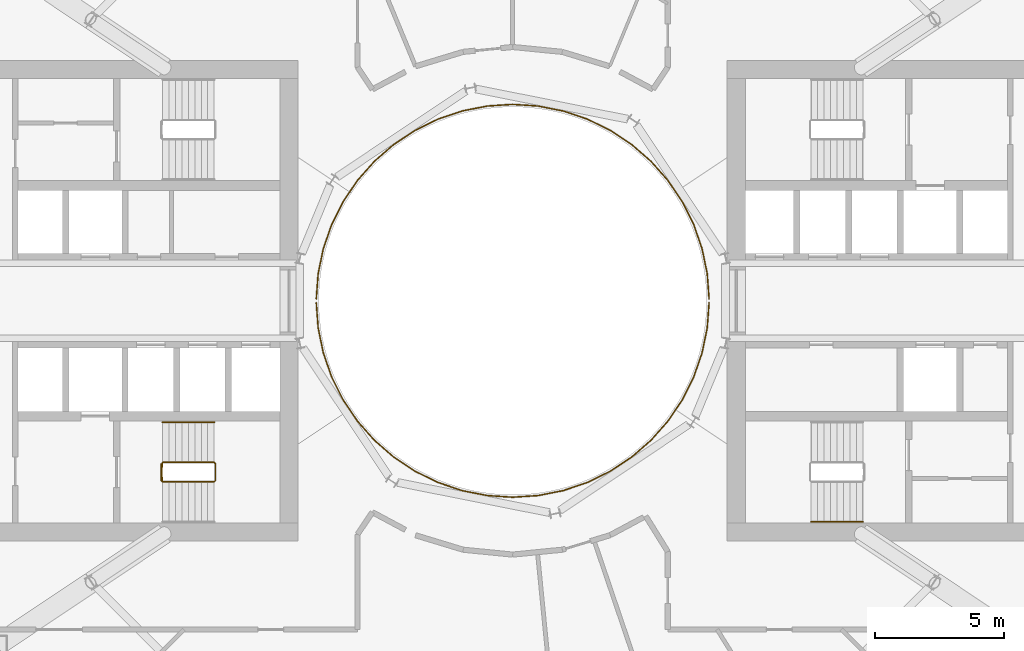
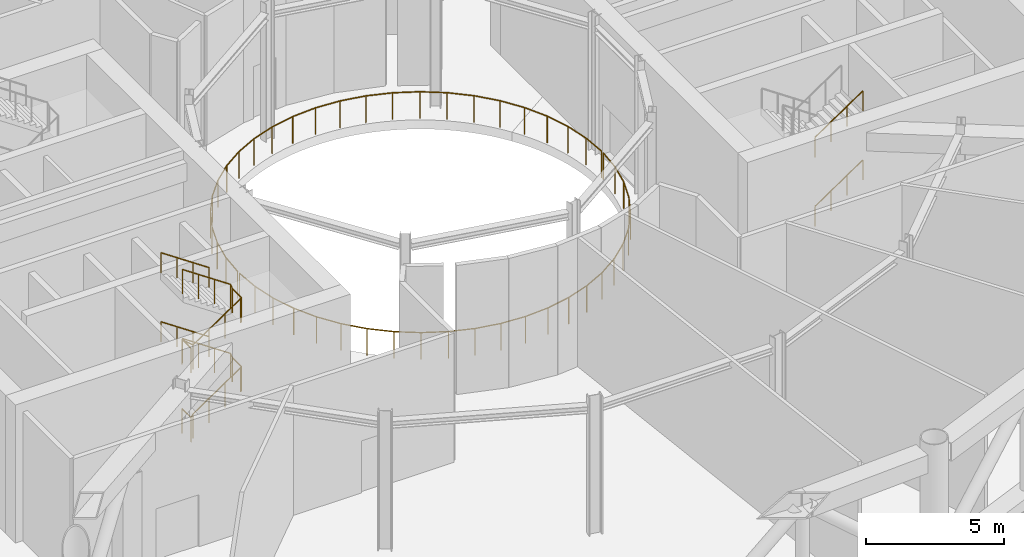
# One storey, part 20 of 23: 7 railings.
"""IFC4 building model written with IfcOpenShell, lengths in metres."""

from ifc_helpers import new_model, si_unit, direction, frame, origin, origin_2d, place, context, subcontext, project, spatial, circle, extrude, material, type_object, element, save


model = new_model("IFC4")

# Units and contexts
model_context = context("Model", 3, precision=1e-05, world=origin(), true_north=direction((0.0, 1.0)))
body_context = subcontext(model_context, "Body", "Model", "MODEL_VIEW")
ifc_project = project(units=[si_unit("LENGTHUNIT", "METRE"), si_unit("AREAUNIT", "SQUARE_METRE"), si_unit("VOLUMEUNIT", "CUBIC_METRE"), si_unit("PLANEANGLEUNIT", "RADIAN"), si_unit("MASSUNIT", "GRAM", prefix="KILO")], contexts=[model_context])

# Site, building, storey
site_placement = place(None, origin())
site = spatial("IfcSite", under=ifc_project, at=site_placement, CompositionType="ELEMENT")
building_placement = place(site_placement, origin())
building = spatial("IfcBuilding", under=site, at=building_placement, Name="Maasbend Ring Residences", CompositionType="ELEMENT")
storey_placement = place(building_placement, frame((0.0, 0.0, 97.14990234375)))
storey = spatial("IfcBuildingStorey", under=building, at=storey_placement, Name="L28", CompositionType="ELEMENT", Elevation=97.14990234375)

# Railings
ifc_material_1 = material(Name="Stainless steel 316 and glass", Category="steel")
railing_type_1 = type_object("IfcRailingType", Name="RL-GUARD", PredefinedType="GUARDRAIL", material=ifc_material_1)
railing_1_placement = place(storey_placement, frame((7.599609375, 0.06640625, 0.0)))
element("IfcRailing", 1, at=railing_1_placement, inside=storey, type_object=railing_type_1, Name="Garden guard well 1", PredefinedType="GUARDRAIL", context=body_context, shape_type="SweptSolid", body=[
    extrude(circle(Radius=0.02490234375, at=origin_2d()), frame((0.0, 0.0, 1.1748046875), z_axis=(-0.073598762792, 0.997287933405, 0.0), x_axis=(-0.997287933405, -0.073598762792, 0.0)), (0.0, 0.0, 1.0), 0.988525390625),
    extrude(circle(Radius=0.02490234375, at=origin_2d()), frame((-0.07275390625, 0.98583984375, 1.1748046875), z_axis=(-0.202760766137, 0.979228304184, 0.0), x_axis=(-0.979228304184, -0.202760766137, 0.0)), (0.0, 0.0, 1.0), 0.988525390625),
    extrude(circle(Radius=0.02490234375, at=origin_2d()), frame((-0.273193359375, 1.953857421875, 1.1748046875), z_axis=(-0.327907631853, 0.944709788757, 0.0), x_axis=(-0.944709788757, -0.327907631853, 0.0)), (0.0, 0.0, 1.0), 0.98876953125),
    extrude(circle(Radius=0.02490234375, at=origin_2d()), frame((-0.597412109375, 2.887939453125, 1.1748046875), z_axis=(-0.447806291046, 0.894130597676, 0.0), x_axis=(-0.894130597676, -0.447806291046, 0.0)), (0.0, 0.0, 1.0), 0.988525390625),
    extrude(circle(Radius=0.02490234375, at=origin_2d()), frame((-1.0400390625, 3.771728515625, 1.1748046875), z_axis=(-0.560045259563, 0.828462013155, 0.0), x_axis=(-0.828462013155, -0.560045259563, 0.0)), (0.0, 0.0, 1.0), 0.98876953125),
    extrude(circle(Radius=0.02490234375, at=origin_2d()), frame((-1.59375, 4.5908203125, 1.1748046875), z_axis=(-0.662829611997, 0.748770262137, 0.0), x_axis=(-0.748770262137, -0.662829611997, 0.0)), (0.0, 0.0, 1.0), 0.988525390625),
    extrude(circle(Radius=0.02490234375, at=origin_2d()), frame((-2.2490234375, 5.3310546875, 1.1748046875), z_axis=(-0.754424735376, 0.656386561908, 0.0), x_axis=(-0.656386561908, -0.754424735376, 0.0)), (0.0, 0.0, 1.0), 0.988525390625),
    extrude(circle(Radius=0.02490234375, at=origin_2d()), frame((-2.994873046875, 5.97998046875, 1.1748046875), z_axis=(-0.833415421364, 0.552647026078, 0.0), x_axis=(-0.552647026078, -0.833415421364, 0.0)), (0.0, 0.0, 1.0), 0.98876953125),
    extrude(circle(Radius=0.02490234375, at=origin_2d()), frame((-3.81884765625, 6.5263671875, 1.1748046875), z_axis=(-0.89795516916, 0.440086939341, 0.0), x_axis=(-0.440086939341, -0.89795516916, 0.0)), (0.0, 0.0, 1.0), 0.988525390625),
    extrude(circle(Radius=0.02490234375, at=origin_2d()), frame((-4.70654296875, 6.96142578125, 1.1748046875), z_axis=(-0.947491343753, 0.31978141521, 0.0), x_axis=(-0.31978141521, -0.947491343753, 0.0)), (0.0, 0.0, 1.0), 0.98876953125),
    extrude(circle(Radius=0.02490234375, at=origin_2d()), frame((-5.643310546875, 7.277587890625, 1.1748046875), z_axis=(-0.981024607585, 0.193883262073, 0.0), x_axis=(-0.193883262073, -0.981024607585, 0.0)), (0.0, 0.0, 1.0), 0.988525390625),
    extrude(circle(Radius=0.02490234375, at=origin_2d()), frame((-6.613037109375, 7.46923828125, 1.1748046875), z_axis=(-0.997872778693, 0.06519139163, 0.0), x_axis=(-0.06519139163, -0.997872778693, 0.0)), (0.0, 0.0, 1.0), 0.98876953125),
    extrude(circle(Radius=0.02490234375, at=origin_2d()), frame((-7.599609375, 7.53369140625, 1.1748046875), z_axis=(-0.997872778693, -0.06519139163, 0.0), x_axis=(0.06519139163, -0.997872778693, 0.0)), (0.0, 0.0, 1.0), 0.98876953125),
    extrude(circle(Radius=0.02490234375, at=origin_2d()), frame((-8.586181640625, 7.46923828125, 1.1748046875), z_axis=(-0.981024607585, -0.193883262073, 0.0), x_axis=(0.193883262073, -0.981024607585, 0.0)), (0.0, 0.0, 1.0), 0.988525390625),
    extrude(circle(Radius=0.02490234375, at=origin_2d()), frame((-9.555908203125, 7.277587890625, 1.1748046875), z_axis=(-0.947491343753, -0.31978141521, 0.0), x_axis=(0.31978141521, -0.947491343753, 0.0)), (0.0, 0.0, 1.0), 0.98876953125),
    extrude(circle(Radius=0.02490234375, at=origin_2d()), frame((-10.49267578125, 6.96142578125, 1.1748046875), z_axis=(-0.89795516916, -0.440086939341, 0.0), x_axis=(0.440086939341, -0.89795516916, 0.0)), (0.0, 0.0, 1.0), 0.988525390625),
    extrude(circle(Radius=0.02490234375, at=origin_2d()), frame((-11.38037109375, 6.5263671875, 1.1748046875), z_axis=(-0.833415421364, -0.552647026078, 0.0), x_axis=(0.552647026078, -0.833415421364, 0.0)), (0.0, 0.0, 1.0), 0.98876953125),
    extrude(circle(Radius=0.02490234375, at=origin_2d()), frame((-12.204345703125, 5.97998046875, 1.1748046875), z_axis=(-0.754424735376, -0.656386561908, 0.0), x_axis=(0.656386561908, -0.754424735376, 0.0)), (0.0, 0.0, 1.0), 0.988525390625),
    extrude(circle(Radius=0.02490234375, at=origin_2d()), frame((-12.9501953125, 5.3310546875, 1.1748046875), z_axis=(-0.662829611997, -0.748770262137, 0.0), x_axis=(0.748770262137, -0.662829611997, 0.0)), (0.0, 0.0, 1.0), 0.988525390625),
    extrude(circle(Radius=0.02490234375, at=origin_2d()), frame((-13.60546875, 4.5908203125, 1.1748046875), z_axis=(-0.560045259563, -0.828462013155, 0.0), x_axis=(0.828462013155, -0.560045259563, 0.0)), (0.0, 0.0, 1.0), 0.98876953125),
    extrude(circle(Radius=0.02490234375, at=origin_2d()), frame((-14.1591796875, 3.771728515625, 1.1748046875), z_axis=(-0.447806291046, -0.894130597676, 0.0), x_axis=(0.894130597676, -0.447806291046, 0.0)), (0.0, 0.0, 1.0), 0.988525390625),
    extrude(circle(Radius=0.02490234375, at=origin_2d()), frame((-14.601806640625, 2.887939453125, 1.1748046875), z_axis=(-0.327907631853, -0.944709788757, 0.0), x_axis=(0.944709788757, -0.327907631853, 0.0)), (0.0, 0.0, 1.0), 0.98876953125),
    extrude(circle(Radius=0.02490234375, at=origin_2d()), frame((-14.926025390625, 1.953857421875, 1.1748046875), z_axis=(-0.202760766137, -0.979228304184, 0.0), x_axis=(0.979228304184, -0.202760766137, 0.0)), (0.0, 0.0, 1.0), 0.988525390625),
    extrude(circle(Radius=0.02490234375, at=origin_2d()), frame((-15.12646484375, 0.98583984375, 1.1748046875), z_axis=(-0.073598762792, -0.997287933405, 0.0), x_axis=(0.997287933405, -0.073598762792, 0.0)), (0.0, 0.0, 1.0), 0.988525390625),
    extrude(circle(Radius=0.02001953125, at=origin_2d()), origin(), (0.0, 0.0, 1.0), 1.14990234375),
    extrude(circle(Radius=0.02001953125, at=origin_2d()), frame((-0.07275390625, 0.98583984375, 0.0)), (0.0, 0.0, 1.0), 1.14990234375),
    extrude(circle(Radius=0.02001953125, at=origin_2d()), frame((-0.273193359375, 1.953857421875, 0.0)), (0.0, 0.0, 1.0), 1.14990234375),
    extrude(circle(Radius=0.02001953125, at=origin_2d()), frame((-0.597412109375, 2.887939453125, 0.0)), (0.0, 0.0, 1.0), 1.14990234375),
    extrude(circle(Radius=0.02001953125, at=origin_2d()), frame((-1.0400390625, 3.771728515625, 0.0)), (0.0, 0.0, 1.0), 1.14990234375),
    extrude(circle(Radius=0.02001953125, at=origin_2d()), frame((-1.59375, 4.5908203125, 0.0)), (0.0, 0.0, 1.0), 1.14990234375),
    extrude(circle(Radius=0.02001953125, at=origin_2d()), frame((-2.2490234375, 5.3310546875, 0.0)), (0.0, 0.0, 1.0), 1.14990234375),
    extrude(circle(Radius=0.02001953125, at=origin_2d()), frame((-2.994873046875, 5.97998046875, 0.0)), (0.0, 0.0, 1.0), 1.14990234375),
    extrude(circle(Radius=0.02001953125, at=origin_2d()), frame((-3.81884765625, 6.5263671875, 0.0)), (0.0, 0.0, 1.0), 1.14990234375),
    extrude(circle(Radius=0.02001953125, at=origin_2d()), frame((-4.70654296875, 6.96142578125, 0.0)), (0.0, 0.0, 1.0), 1.14990234375),
    extrude(circle(Radius=0.02001953125, at=origin_2d()), frame((-5.643310546875, 7.277587890625, 0.0)), (0.0, 0.0, 1.0), 1.14990234375),
    extrude(circle(Radius=0.02001953125, at=origin_2d()), frame((-6.613037109375, 7.46923828125, 0.0)), (0.0, 0.0, 1.0), 1.14990234375),
    extrude(circle(Radius=0.02001953125, at=origin_2d()), frame((-7.599609375, 7.53369140625, 0.0)), (0.0, 0.0, 1.0), 1.14990234375),
    extrude(circle(Radius=0.02001953125, at=origin_2d()), frame((-8.586181640625, 7.46923828125, 0.0)), (0.0, 0.0, 1.0), 1.14990234375),
    extrude(circle(Radius=0.02001953125, at=origin_2d()), frame((-9.555908203125, 7.277587890625, 0.0)), (0.0, 0.0, 1.0), 1.14990234375),
    extrude(circle(Radius=0.02001953125, at=origin_2d()), frame((-10.49267578125, 6.96142578125, 0.0)), (0.0, 0.0, 1.0), 1.14990234375),
    extrude(circle(Radius=0.02001953125, at=origin_2d()), frame((-11.38037109375, 6.5263671875, 0.0)), (0.0, 0.0, 1.0), 1.14990234375),
    extrude(circle(Radius=0.02001953125, at=origin_2d()), frame((-12.204345703125, 5.97998046875, 0.0)), (0.0, 0.0, 1.0), 1.14990234375),
    extrude(circle(Radius=0.02001953125, at=origin_2d()), frame((-12.9501953125, 5.3310546875, 0.0)), (0.0, 0.0, 1.0), 1.14990234375),
    extrude(circle(Radius=0.02001953125, at=origin_2d()), frame((-13.60546875, 4.5908203125, 0.0)), (0.0, 0.0, 1.0), 1.14990234375),
    extrude(circle(Radius=0.02001953125, at=origin_2d()), frame((-14.1591796875, 3.771728515625, 0.0)), (0.0, 0.0, 1.0), 1.14990234375),
    extrude(circle(Radius=0.02001953125, at=origin_2d()), frame((-14.601806640625, 2.887939453125, 0.0)), (0.0, 0.0, 1.0), 1.14990234375),
    extrude(circle(Radius=0.02001953125, at=origin_2d()), frame((-14.926025390625, 1.953857421875, 0.0)), (0.0, 0.0, 1.0), 1.14990234375),
    extrude(circle(Radius=0.02001953125, at=origin_2d()), frame((-15.12646484375, 0.98583984375, 0.0)), (0.0, 0.0, 1.0), 1.14990234375),
    extrude(circle(Radius=0.02001953125, at=origin_2d()), frame((-15.19921875, 0.0, 0.0)), (0.0, 0.0, 1.0), 1.14990234375),
])
railing_2_placement = place(storey_placement, frame((-7.599609375, -0.06640625, 0.0)))
element("IfcRailing", 2, at=railing_2_placement, inside=storey, type_object=railing_type_1, Name="Garden guard well 2", PredefinedType="GUARDRAIL", context=body_context, shape_type="SweptSolid", body=[
    extrude(circle(Radius=0.02490234375, at=origin_2d()), frame((0.0, 0.0, 1.1748046875), z_axis=(0.073598762792, -0.997287933405, 0.0), x_axis=(0.997287933405, 0.073598762792, 0.0)), (0.0, 0.0, 1.0), 0.988525390625),
    extrude(circle(Radius=0.02490234375, at=origin_2d()), frame((0.07275390625, -0.98583984375, 1.1748046875), z_axis=(0.202760766137, -0.979228304184, 0.0), x_axis=(0.979228304184, 0.202760766137, 0.0)), (0.0, 0.0, 1.0), 0.988525390625),
    extrude(circle(Radius=0.02490234375, at=origin_2d()), frame((0.273193359375, -1.953857421875, 1.1748046875), z_axis=(0.327907631853, -0.944709788757, 0.0), x_axis=(0.944709788757, 0.327907631853, 0.0)), (0.0, 0.0, 1.0), 0.98876953125),
    extrude(circle(Radius=0.02490234375, at=origin_2d()), frame((0.597412109375, -2.887939453125, 1.1748046875), z_axis=(0.447806291046, -0.894130597676, 0.0), x_axis=(0.894130597676, 0.447806291046, 0.0)), (0.0, 0.0, 1.0), 0.988525390625),
    extrude(circle(Radius=0.02490234375, at=origin_2d()), frame((1.0400390625, -3.771728515625, 1.1748046875), z_axis=(0.560045259563, -0.828462013155, 0.0), x_axis=(0.828462013155, 0.560045259563, 0.0)), (0.0, 0.0, 1.0), 0.98876953125),
    extrude(circle(Radius=0.02490234375, at=origin_2d()), frame((1.59375, -4.5908203125, 1.1748046875), z_axis=(0.662829611997, -0.748770262137, 0.0), x_axis=(0.748770262137, 0.662829611997, 0.0)), (0.0, 0.0, 1.0), 0.988525390625),
    extrude(circle(Radius=0.02490234375, at=origin_2d()), frame((2.2490234375, -5.3310546875, 1.1748046875), z_axis=(0.754424735376, -0.656386561908, 0.0), x_axis=(0.656386561908, 0.754424735376, 0.0)), (0.0, 0.0, 1.0), 0.988525390625),
    extrude(circle(Radius=0.02490234375, at=origin_2d()), frame((2.994873046875, -5.97998046875, 1.1748046875), z_axis=(0.833415421364, -0.552647026078, 0.0), x_axis=(0.552647026078, 0.833415421364, 0.0)), (0.0, 0.0, 1.0), 0.98876953125),
    extrude(circle(Radius=0.02490234375, at=origin_2d()), frame((3.81884765625, -6.5263671875, 1.1748046875), z_axis=(0.89795516916, -0.440086939341, 0.0), x_axis=(0.440086939341, 0.89795516916, 0.0)), (0.0, 0.0, 1.0), 0.988525390625),
    extrude(circle(Radius=0.02490234375, at=origin_2d()), frame((4.70654296875, -6.96142578125, 1.1748046875), z_axis=(0.947491343753, -0.31978141521, 0.0), x_axis=(0.31978141521, 0.947491343753, 0.0)), (0.0, 0.0, 1.0), 0.98876953125),
    extrude(circle(Radius=0.02490234375, at=origin_2d()), frame((5.643310546875, -7.277587890625, 1.1748046875), z_axis=(0.981024607585, -0.193883262073, 0.0), x_axis=(0.193883262073, 0.981024607585, 0.0)), (0.0, 0.0, 1.0), 0.988525390625),
    extrude(circle(Radius=0.02490234375, at=origin_2d()), frame((6.613037109375, -7.46923828125, 1.1748046875), z_axis=(0.997872778693, -0.06519139163, 0.0), x_axis=(0.06519139163, 0.997872778693, 0.0)), (0.0, 0.0, 1.0), 0.98876953125),
    extrude(circle(Radius=0.02490234375, at=origin_2d()), frame((7.599609375, -7.53369140625, 1.1748046875), z_axis=(0.997872778693, 0.06519139163, 0.0), x_axis=(-0.06519139163, 0.997872778693, 0.0)), (0.0, 0.0, 1.0), 0.98876953125),
    extrude(circle(Radius=0.02490234375, at=origin_2d()), frame((8.586181640625, -7.46923828125, 1.1748046875), z_axis=(0.981024607585, 0.193883262073, 0.0), x_axis=(-0.193883262073, 0.981024607585, 0.0)), (0.0, 0.0, 1.0), 0.988525390625),
    extrude(circle(Radius=0.02490234375, at=origin_2d()), frame((9.555908203125, -7.277587890625, 1.1748046875), z_axis=(0.947491343753, 0.31978141521, 0.0), x_axis=(-0.31978141521, 0.947491343753, 0.0)), (0.0, 0.0, 1.0), 0.98876953125),
    extrude(circle(Radius=0.02490234375, at=origin_2d()), frame((10.49267578125, -6.96142578125, 1.1748046875), z_axis=(0.89795516916, 0.440086939341, 0.0), x_axis=(-0.440086939341, 0.89795516916, 0.0)), (0.0, 0.0, 1.0), 0.988525390625),
    extrude(circle(Radius=0.02490234375, at=origin_2d()), frame((11.38037109375, -6.5263671875, 1.1748046875), z_axis=(0.833415421364, 0.552647026078, 0.0), x_axis=(-0.552647026078, 0.833415421364, 0.0)), (0.0, 0.0, 1.0), 0.98876953125),
    extrude(circle(Radius=0.02490234375, at=origin_2d()), frame((12.204345703125, -5.97998046875, 1.1748046875), z_axis=(0.754424735376, 0.656386561908, 0.0), x_axis=(-0.656386561908, 0.754424735376, 0.0)), (0.0, 0.0, 1.0), 0.988525390625),
    extrude(circle(Radius=0.02490234375, at=origin_2d()), frame((12.9501953125, -5.3310546875, 1.1748046875), z_axis=(0.662829611997, 0.748770262137, 0.0), x_axis=(-0.748770262137, 0.662829611997, 0.0)), (0.0, 0.0, 1.0), 0.988525390625),
    extrude(circle(Radius=0.02490234375, at=origin_2d()), frame((13.60546875, -4.5908203125, 1.1748046875), z_axis=(0.560045259563, 0.828462013155, 0.0), x_axis=(-0.828462013155, 0.560045259563, 0.0)), (0.0, 0.0, 1.0), 0.98876953125),
    extrude(circle(Radius=0.02490234375, at=origin_2d()), frame((14.1591796875, -3.771728515625, 1.1748046875), z_axis=(0.447806291046, 0.894130597676, 0.0), x_axis=(-0.894130597676, 0.447806291046, 0.0)), (0.0, 0.0, 1.0), 0.988525390625),
    extrude(circle(Radius=0.02490234375, at=origin_2d()), frame((14.601806640625, -2.887939453125, 1.1748046875), z_axis=(0.327907631853, 0.944709788757, 0.0), x_axis=(-0.944709788757, 0.327907631853, 0.0)), (0.0, 0.0, 1.0), 0.98876953125),
    extrude(circle(Radius=0.02490234375, at=origin_2d()), frame((14.926025390625, -1.953857421875, 1.1748046875), z_axis=(0.202760766137, 0.979228304184, 0.0), x_axis=(-0.979228304184, 0.202760766137, 0.0)), (0.0, 0.0, 1.0), 0.988525390625),
    extrude(circle(Radius=0.02490234375, at=origin_2d()), frame((15.12646484375, -0.98583984375, 1.1748046875), z_axis=(0.073598762792, 0.997287933405, 0.0), x_axis=(-0.997287933405, 0.073598762792, 0.0)), (0.0, 0.0, 1.0), 0.988525390625),
    extrude(circle(Radius=0.02001953125, at=origin_2d()), origin(), (0.0, 0.0, 1.0), 1.14990234375),
    extrude(circle(Radius=0.02001953125, at=origin_2d()), frame((0.07275390625, -0.98583984375, 0.0)), (0.0, 0.0, 1.0), 1.14990234375),
    extrude(circle(Radius=0.02001953125, at=origin_2d()), frame((0.273193359375, -1.953857421875, 0.0)), (0.0, 0.0, 1.0), 1.14990234375),
    extrude(circle(Radius=0.02001953125, at=origin_2d()), frame((0.597412109375, -2.887939453125, 0.0)), (0.0, 0.0, 1.0), 1.14990234375),
    extrude(circle(Radius=0.02001953125, at=origin_2d()), frame((1.0400390625, -3.771728515625, 0.0)), (0.0, 0.0, 1.0), 1.14990234375),
    extrude(circle(Radius=0.02001953125, at=origin_2d()), frame((1.59375, -4.5908203125, 0.0)), (0.0, 0.0, 1.0), 1.14990234375),
    extrude(circle(Radius=0.02001953125, at=origin_2d()), frame((2.2490234375, -5.3310546875, 0.0)), (0.0, 0.0, 1.0), 1.14990234375),
    extrude(circle(Radius=0.02001953125, at=origin_2d()), frame((2.994873046875, -5.97998046875, 0.0)), (0.0, 0.0, 1.0), 1.14990234375),
    extrude(circle(Radius=0.02001953125, at=origin_2d()), frame((3.81884765625, -6.5263671875, 0.0)), (0.0, 0.0, 1.0), 1.14990234375),
    extrude(circle(Radius=0.02001953125, at=origin_2d()), frame((4.70654296875, -6.96142578125, 0.0)), (0.0, 0.0, 1.0), 1.14990234375),
    extrude(circle(Radius=0.02001953125, at=origin_2d()), frame((5.643310546875, -7.277587890625, 0.0)), (0.0, 0.0, 1.0), 1.14990234375),
    extrude(circle(Radius=0.02001953125, at=origin_2d()), frame((6.613037109375, -7.46923828125, 0.0)), (0.0, 0.0, 1.0), 1.14990234375),
    extrude(circle(Radius=0.02001953125, at=origin_2d()), frame((7.599609375, -7.53369140625, 0.0)), (0.0, 0.0, 1.0), 1.14990234375),
    extrude(circle(Radius=0.02001953125, at=origin_2d()), frame((8.586181640625, -7.46923828125, 0.0)), (0.0, 0.0, 1.0), 1.14990234375),
    extrude(circle(Radius=0.02001953125, at=origin_2d()), frame((9.555908203125, -7.277587890625, 0.0)), (0.0, 0.0, 1.0), 1.14990234375),
    extrude(circle(Radius=0.02001953125, at=origin_2d()), frame((10.49267578125, -6.96142578125, 0.0)), (0.0, 0.0, 1.0), 1.14990234375),
    extrude(circle(Radius=0.02001953125, at=origin_2d()), frame((11.38037109375, -6.5263671875, 0.0)), (0.0, 0.0, 1.0), 1.14990234375),
    extrude(circle(Radius=0.02001953125, at=origin_2d()), frame((12.204345703125, -5.97998046875, 0.0)), (0.0, 0.0, 1.0), 1.14990234375),
    extrude(circle(Radius=0.02001953125, at=origin_2d()), frame((12.9501953125, -5.3310546875, 0.0)), (0.0, 0.0, 1.0), 1.14990234375),
    extrude(circle(Radius=0.02001953125, at=origin_2d()), frame((13.60546875, -4.5908203125, 0.0)), (0.0, 0.0, 1.0), 1.14990234375),
    extrude(circle(Radius=0.02001953125, at=origin_2d()), frame((14.1591796875, -3.771728515625, 0.0)), (0.0, 0.0, 1.0), 1.14990234375),
    extrude(circle(Radius=0.02001953125, at=origin_2d()), frame((14.601806640625, -2.887939453125, 0.0)), (0.0, 0.0, 1.0), 1.14990234375),
    extrude(circle(Radius=0.02001953125, at=origin_2d()), frame((14.926025390625, -1.953857421875, 0.0)), (0.0, 0.0, 1.0), 1.14990234375),
    extrude(circle(Radius=0.02001953125, at=origin_2d()), frame((15.12646484375, -0.98583984375, 0.0)), (0.0, 0.0, 1.0), 1.14990234375),
    extrude(circle(Radius=0.02001953125, at=origin_2d()), frame((15.19921875, 0.0, 0.0)), (0.0, 0.0, 1.0), 1.14990234375),
])
ifc_material_2 = material(Name="Stainless steel 316", Category="steel")
railing_type_2 = type_object("IfcRailingType", Name="STAIR GUARD 1100", PredefinedType="GUARDRAIL", material=ifc_material_2)
railing_3_placement = place(storey_placement, frame((-13.60009765625, -6.300048828125, 0.0)))
element("IfcRailing", 3, at=railing_3_placement, inside=storey, type_object=railing_type_2, Name="L28 ST-W1 stair guard 1", PredefinedType="GUARDRAIL", context=body_context, shape_type="SweptSolid", body=[
    extrude(circle(Radius=0.02392578125, at=origin_2d()), frame((0.0, 0.0, 1.076171875), z_axis=(0.0, -1.0, 0.0), x_axis=(1.0, 0.0, 0.0)), (0.0, 0.0, 1.0), 0.64990234375),
    extrude(circle(Radius=0.02392578125, at=origin_2d()), frame((0.0, -0.64990234375, 1.076171875), z_axis=(0.272562526181, -0.272562526181, 0.92272386912), x_axis=(0.707106781187, 0.707106781187, 0.0)), (0.0, 0.0, 1.0), 0.18359375),
    extrude(circle(Radius=0.02392578125, at=origin_2d()), frame((0.050048828125, -0.699951171875, 1.24560546875), z_axis=(0.827750655447, 0.0, 0.561096116906), x_axis=(0.0, 1.0, 0.0)), (0.0, 0.0, 1.0), 2.416259765625),
    extrude(circle(Radius=0.02392578125, at=origin_2d()), frame((2.050048828125, -0.699951171875, 2.60107421875), z_axis=(0.707106781187, 0.707106781187, 0.0), x_axis=(-0.707106781187, 0.707106781187, 0.0)), (0.0, 0.0, 1.0), 0.07080078125),
    extrude(circle(Radius=0.02392578125, at=origin_2d()), frame((2.10009765625, -0.64990234375, 2.60107421875), z_axis=(0.0, 1.0, 0.0), x_axis=(-1.0, 0.0, 0.0)), (0.0, 0.0, 1.0), 0.64990234375),
    extrude(circle(Radius=0.02392578125, at=origin_2d()), frame((2.10009765625, 0.0, 2.60107421875), z_axis=(-0.272562526181, 0.272562526181, 0.92272386912), x_axis=(-0.707106781187, -0.707106781187, 0.0)), (0.0, 0.0, 1.0), 0.18359375),
    extrude(circle(Radius=0.02392578125, at=origin_2d()), frame((2.050048828125, 0.050048828125, 2.7705078125), z_axis=(-0.827797584762, 0.0, 0.561026878735), x_axis=(0.0, -1.0, 0.0)), (0.0, 0.0, 1.0), 2.416015625),
    extrude(circle(Radius=0.02392578125, at=origin_2d()), frame((0.050048828125, 0.050048828125, 4.1259765625), z_axis=(-0.071321223157, -0.997453398975, 0.0), x_axis=(0.997453398975, -0.071321223157, 0.0)), (0.0, 0.0, 1.0), 0.70166015625),
    extrude(circle(Radius=0.02392578125, at=origin_2d()), frame((0.0, -0.64990234375, 4.1259765625), z_axis=(0.0, 1.0, 0.0), x_axis=(-1.0, 0.0, 0.0)), (0.0, 0.0, 1.0), 0.64990234375),
    extrude(circle(Radius=0.02392578125, at=origin_2d()), frame((0.0, 0.0, 4.1259765625), z_axis=(0.069328998915, -0.969591414091, 0.234704025594), x_axis=(0.997453398975, 0.071321223157, 0.0)), (0.0, 0.0, 1.0), 0.721923828125),
    extrude(circle(Radius=0.02392578125, at=origin_2d()), frame((0.050048828125, -0.699951171875, 4.29541015625), z_axis=(0.827750655447, 0.0, 0.561096116906), x_axis=(0.0, 1.0, 0.0)), (0.0, 0.0, 1.0), 2.416259765625),
    extrude(circle(Radius=0.02392578125, at=origin_2d()), frame((2.050048828125, -0.699951171875, 5.6513671875), z_axis=(0.707106781187, 0.707106781187, 0.0), x_axis=(-0.707106781187, 0.707106781187, 0.0)), (0.0, 0.0, 1.0), 0.07080078125),
    extrude(circle(Radius=0.02392578125, at=origin_2d()), frame((2.10009765625, -0.64990234375, 5.6513671875), z_axis=(0.0, 1.0, 0.0), x_axis=(-1.0, 0.0, 0.0)), (0.0, 0.0, 1.0), 0.64990234375),
    extrude(circle(Radius=0.02392578125, at=origin_2d()), frame((2.10009765625, 0.0, 5.6513671875), z_axis=(-0.272562526181, 0.272562526181, 0.92272386912), x_axis=(-0.707106781187, -0.707106781187, 0.0)), (0.0, 0.0, 1.0), 0.18359375),
    extrude(circle(Radius=0.02392578125, at=origin_2d()), frame((2.050048828125, 0.050048828125, 5.82080078125), z_axis=(-0.827797584762, 0.0, 0.561026878735), x_axis=(0.0, -1.0, 0.0)), (0.0, 0.0, 1.0), 2.416015625),
    extrude(circle(Radius=0.02099609375, at=origin_2d()), origin(), (0.0, 0.0, 1.0), 1.052001953125),
    extrude(circle(Radius=0.02099609375, at=origin_2d()), frame((0.0, -0.64990234375, 0.0)), (0.0, 0.0, 1.0), 1.052001953125),
    extrude(circle(Radius=0.02099609375, at=origin_2d()), frame((0.050048828125, -0.699951171875, 0.16943359375)), (0.0, 0.0, 1.0), 1.052001953125),
    extrude(circle(Radius=0.02099609375, at=origin_2d()), frame((0.716796875, -0.699951171875, 0.621337890625)), (0.0, 0.0, 1.0), 1.052001953125),
    extrude(circle(Radius=0.02099609375, at=origin_2d()), frame((1.38330078125, -0.699951171875, 1.0732421875)), (0.0, 0.0, 1.0), 1.052001953125),
    extrude(circle(Radius=0.02099609375, at=origin_2d()), frame((2.050048828125, -0.699951171875, 1.525146484375)), (0.0, 0.0, 1.0), 1.052001953125),
    extrude(circle(Radius=0.02099609375, at=origin_2d()), frame((2.10009765625, -0.64990234375, 1.525146484375)), (0.0, 0.0, 1.0), 1.052001953125),
    extrude(circle(Radius=0.02099609375, at=origin_2d()), frame((2.10009765625, 0.0, 1.525146484375)), (0.0, 0.0, 1.0), 1.052001953125),
    extrude(circle(Radius=0.02099609375, at=origin_2d()), frame((2.050048828125, 0.050048828125, 1.694580078125)), (0.0, 0.0, 1.0), 1.052001953125),
    extrude(circle(Radius=0.02099609375, at=origin_2d()), frame((1.38330078125, 0.050048828125, 2.146484375)), (0.0, 0.0, 1.0), 1.052001953125),
    extrude(circle(Radius=0.02099609375, at=origin_2d()), frame((0.716796875, 0.050048828125, 2.59814453125)), (0.0, 0.0, 1.0), 1.052001953125),
    extrude(circle(Radius=0.02099609375, at=origin_2d()), frame((0.050048828125, 0.050048828125, 3.050048828125)), (0.0, 0.0, 1.0), 1.052001953125),
    extrude(circle(Radius=0.02099609375, at=origin_2d()), frame((0.0, -0.64990234375, 3.050048828125)), (0.0, 0.0, 1.0), 1.052001953125),
    extrude(circle(Radius=0.02099609375, at=origin_2d()), frame((0.0, 0.0, 3.050048828125)), (0.0, 0.0, 1.0), 1.052001953125),
    extrude(circle(Radius=0.02099609375, at=origin_2d()), frame((0.050048828125, -0.699951171875, 3.219482421875)), (0.0, 0.0, 1.0), 1.052001953125),
    extrude(circle(Radius=0.02099609375, at=origin_2d()), frame((0.716796875, -0.699951171875, 3.67138671875)), (0.0, 0.0, 1.0), 1.052001953125),
    extrude(circle(Radius=0.02099609375, at=origin_2d()), frame((1.38330078125, -0.699951171875, 4.123291015625)), (0.0, 0.0, 1.0), 1.052001953125),
    extrude(circle(Radius=0.02099609375, at=origin_2d()), frame((2.050048828125, -0.699951171875, 4.5751953125)), (0.0, 0.0, 1.0), 1.052001953125),
    extrude(circle(Radius=0.02099609375, at=origin_2d()), frame((2.10009765625, -0.64990234375, 4.5751953125)), (0.0, 0.0, 1.0), 1.052001953125),
    extrude(circle(Radius=0.02099609375, at=origin_2d()), frame((2.10009765625, 0.0, 4.5751953125)), (0.0, 0.0, 1.0), 1.052001953125),
    extrude(circle(Radius=0.02099609375, at=origin_2d()), frame((2.050048828125, 0.050048828125, 4.74462890625)), (0.0, 0.0, 1.0), 1.052001953125),
    extrude(circle(Radius=0.02099609375, at=origin_2d()), frame((1.38330078125, 0.050048828125, 5.196533203125)), (0.0, 0.0, 1.0), 1.052001953125),
    extrude(circle(Radius=0.02099609375, at=origin_2d()), frame((0.716796875, 0.050048828125, 5.648193359375)), (0.0, 0.0, 1.0), 1.052001953125),
    extrude(circle(Radius=0.02099609375, at=origin_2d()), frame((0.050048828125, 0.050048828125, 6.10009765625)), (0.0, 0.0, 1.0), 1.052001953125),
])
ifc_material_3 = material(Name="Stainless steel 316", Category="steel")
railing_type_3 = type_object("IfcRailingType", Name="STAIR HANDRAIL 900", PredefinedType="HANDRAIL", material=ifc_material_3)
for number, where, name in (
    (4, (11.550048828125, -8.550048828125, 1.694580078125), "L28 ST-E2 stair handrail 2"),
    (5, (11.550048828125, -8.550048828125, 4.74462890625), "L28 ST-E2 stair handrail 4"),
):
    element("IfcRailing", number, at=place(storey_placement, frame(where)), inside=storey, type_object=railing_type_3, Name=name, PredefinedType="HANDRAIL", context=body_context, shape_type="SweptSolid", body=[
        extrude(circle(Radius=0.02392578125, at=origin_2d()), frame((0.0, 0.0, 0.8759765625), z_axis=(0.827797584762, 0.0, 0.561026878735), x_axis=(0.0, 1.0, 0.0)), (0.0, 0.0, 1.0), 2.416015625),
        extrude(circle(Radius=0.02099609375, at=origin_2d()), origin(), (0.0, 0.0, 1.0), 0.851806640625),
        extrude(circle(Radius=0.02099609375, at=origin_2d()), frame((0.666748046875, 0.0, 0.451904296875)), (0.0, 0.0, 1.0), 0.851806640625),
        extrude(circle(Radius=0.02099609375, at=origin_2d()), frame((1.333251953125, 0.0, 0.903564453125)), (0.0, 0.0, 1.0), 0.851806640625),
        extrude(circle(Radius=0.02099609375, at=origin_2d()), frame((2.0, 0.0, 1.35546875)), (0.0, 0.0, 1.0), 0.851806640625),
    ])
for number, where, name in (
    (6, (-11.550048828125, -4.699951171875, 1.694580078125), "L28 ST-W1 stair handrail 2"),
    (7, (-11.550048828125, -4.699951171875, 4.74462890625), "L28 ST-W1 stair handrail 4"),
):
    element("IfcRailing", number, at=place(storey_placement, frame(where)), inside=storey, type_object=railing_type_3, Name=name, PredefinedType="HANDRAIL", context=body_context, shape_type="SweptSolid", body=[
        extrude(circle(Radius=0.02392578125, at=origin_2d()), frame((0.0, 0.0, 0.8759765625), z_axis=(-0.827797584762, 0.0, 0.561026878735), x_axis=(0.0, -1.0, 0.0)), (0.0, 0.0, 1.0), 2.416015625),
        extrude(circle(Radius=0.02099609375, at=origin_2d()), origin(), (0.0, 0.0, 1.0), 0.851806640625),
        extrude(circle(Radius=0.02099609375, at=origin_2d()), frame((-0.666748046875, 0.0, 0.451904296875)), (0.0, 0.0, 1.0), 0.851806640625),
        extrude(circle(Radius=0.02099609375, at=origin_2d()), frame((-1.333251953125, 0.0, 0.903564453125)), (0.0, 0.0, 1.0), 0.851806640625),
        extrude(circle(Radius=0.02099609375, at=origin_2d()), frame((-2.0, 0.0, 1.35546875)), (0.0, 0.0, 1.0), 0.851806640625),
    ])

save(model, "model.ifc")
